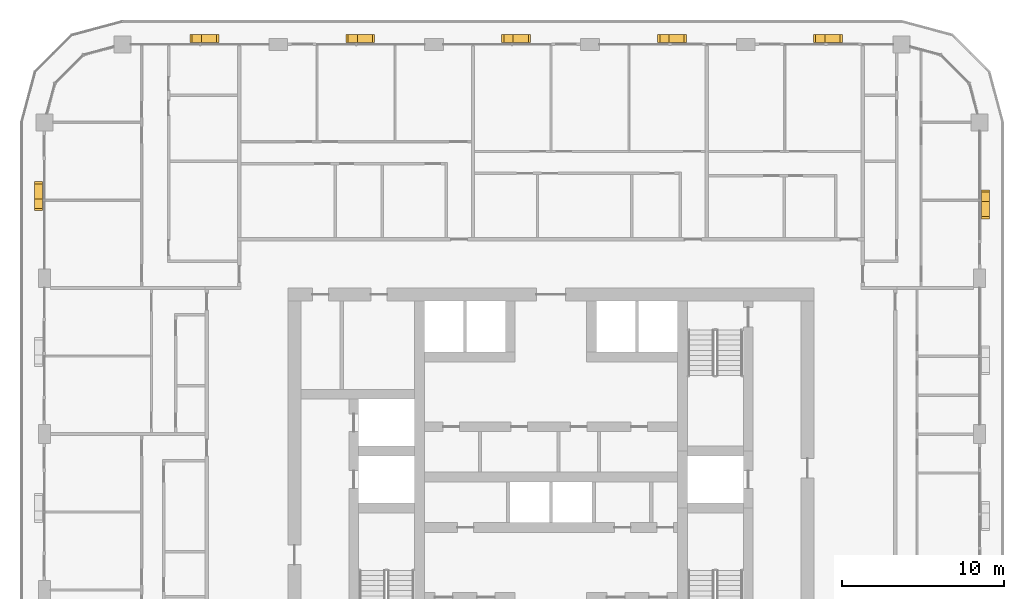
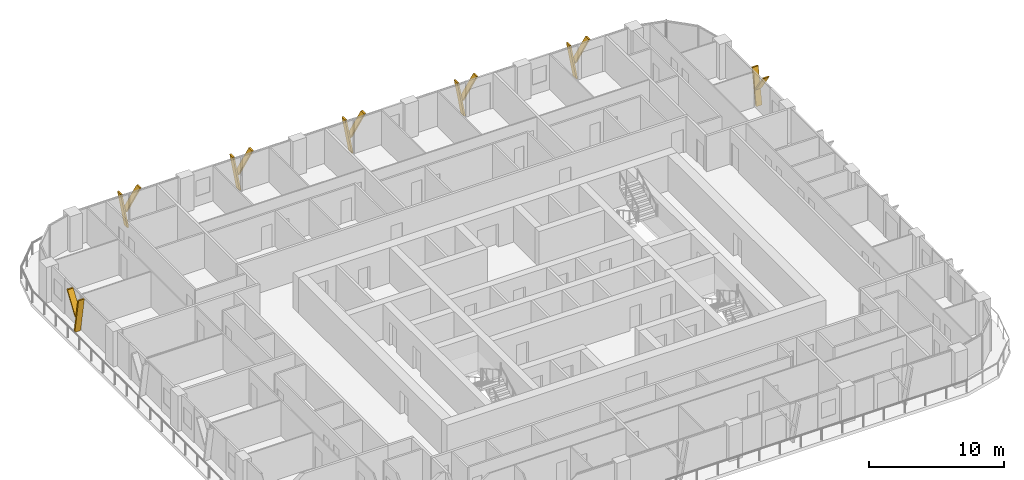
# One storey, part 22 of 22: 14 shading devices.
"""IFC4 building model written with IfcOpenShell, lengths in metres."""

from ifc_helpers import new_model, si_unit, direction, frame, origin, place, context, subcontext, project, spatial, polyline, outline, extrude, material, type_object, element, save


model = new_model("IFC4")

# Units and contexts
model_context = context("Model", 3, precision=1e-05, world=origin(), true_north=direction((0.0, 1.0)))
body_context = subcontext(model_context, "Body", "Model", "MODEL_VIEW")
ifc_project = project(units=[si_unit("LENGTHUNIT", "METRE"), si_unit("AREAUNIT", "SQUARE_METRE"), si_unit("VOLUMEUNIT", "CUBIC_METRE"), si_unit("PLANEANGLEUNIT", "RADIAN"), si_unit("MASSUNIT", "GRAM", prefix="KILO")], contexts=[model_context])

# Site, building, storey
site_placement = place(None, origin())
site = spatial("IfcSite", under=ifc_project, at=site_placement, CompositionType="ELEMENT")
building_placement = place(site_placement, origin())
building = spatial("IfcBuilding", under=site, at=building_placement, Name="Madar Terraces", CompositionType="ELEMENT")
storey_placement = place(building_placement, frame((0.0, 0.0, 126.10009765625)))
storey = spatial("IfcBuildingStorey", under=building, at=storey_placement, Name="L32", CompositionType="ELEMENT", Elevation=126.10009765625)

# Shading devices
ifc_material = material(Name="Aluminium, black anodised", Category="aluminium")
shading_device_type = type_object("IfcShadingDeviceType", Name="Facade fin blade 140 x 500", PredefinedType="USERDEFINED", material=ifc_material)
shading_device_1_placement = place(storey_placement, frame((57.949951171875, 43.1298828125, 0.0), z_axis=(0.0, 0.0, 1.0), x_axis=(0.0, 1.0, 0.0)))
element("IfcShadingDevice", 1, at=shading_device_1_placement, inside=storey, type_object=shading_device_type, Name="FIN L32 E4", ObjectType="FIN", PredefinedType="USERDEFINED", context=body_context, shape_type="SweptSolid", body=[
    extrude(outline(polyline([(0.0, 0.0), (0.14013671875, 0.0), (0.704345703125, 3.199951171875), (0.564208984375, 3.199951171875), (0.0, 0.0)])), frame((0.0, 0.25, 0.0), z_axis=(0.0, -1.0, 0.0), x_axis=(1.0, 0.0, 0.0)), (0.0, 0.0, 1.0), 0.5),
])
shading_device_2_placement = place(storey_placement, frame((57.949951171875, 43.243896484375, 1.43994140625), z_axis=(0.0, 0.0, 1.0), x_axis=(0.0, 1.0, 0.0)))
element("IfcShadingDevice", 2, at=shading_device_2_placement, inside=storey, type_object=shading_device_type, Name="FIN L32 E4 branch", ObjectType="FIN", PredefinedType="USERDEFINED", context=body_context, shape_type="SweptSolid", body=[
    extrude(outline(polyline([(0.0, 0.0), (0.139892578125, 0.0), (-1.049560546875, 1.760009765625), (-1.189697265625, 1.760009765625), (0.0, 0.0)])), frame((0.0, 0.25, 0.0), z_axis=(0.0, -1.0, 0.0), x_axis=(1.0, 0.0, 0.0)), (0.0, 0.0, 1.0), 0.5),
])
shading_device_3_placement = place(storey_placement, frame((48.070068359375, 53.14990234375, 0.0), z_axis=(0.0, 0.0, 1.0), x_axis=(-1.0, 0.0, 0.0)))
element("IfcShadingDevice", 3, at=shading_device_3_placement, inside=storey, type_object=shading_device_type, Name="FIN L32 N1", ObjectType="FIN", PredefinedType="USERDEFINED", context=body_context, shape_type="SweptSolid", body=[
    extrude(outline(polyline([(0.0, 0.0), (0.14013671875, 0.0), (0.704345703125, 3.199951171875), (0.564208984375, 3.199951171875), (0.0, 0.0)])), frame((0.0, 0.25, 0.0), z_axis=(0.0, -1.0, 0.0), x_axis=(1.0, 0.0, 0.0)), (0.0, 0.0, 1.0), 0.5),
])
shading_device_4_placement = place(storey_placement, frame((47.9560546875, 53.14990234375, 1.43994140625), z_axis=(0.0, 0.0, 1.0), x_axis=(-1.0, 0.0, 0.0)))
element("IfcShadingDevice", 4, at=shading_device_4_placement, inside=storey, type_object=shading_device_type, Name="FIN L32 N1 branch", ObjectType="FIN", PredefinedType="USERDEFINED", context=body_context, shape_type="SweptSolid", body=[
    extrude(outline(polyline([(0.0, 0.0), (0.139892578125, 0.0), (-1.049560546875, 1.760009765625), (-1.189697265625, 1.760009765625), (0.0, 0.0)])), frame((0.0, 0.25, 0.0), z_axis=(0.0, -1.0, 0.0), x_axis=(1.0, 0.0, 0.0)), (0.0, 0.0, 1.0), 0.5),
])
shading_device_5_placement = place(storey_placement, frame((38.469970703125, 53.14990234375, 0.0), z_axis=(0.0, 0.0, 1.0), x_axis=(-1.0, 0.0, 0.0)))
element("IfcShadingDevice", 5, at=shading_device_5_placement, inside=storey, type_object=shading_device_type, Name="FIN L32 N2", ObjectType="FIN", PredefinedType="USERDEFINED", context=body_context, shape_type="SweptSolid", body=[
    extrude(outline(polyline([(0.0, 0.0), (0.139892578125, 0.0), (0.704345703125, 3.199951171875), (0.564208984375, 3.199951171875), (0.0, 0.0)])), frame((0.0, 0.25, 0.0), z_axis=(0.0, -1.0, 0.0), x_axis=(1.0, 0.0, 0.0)), (0.0, 0.0, 1.0), 0.5),
])
shading_device_6_placement = place(storey_placement, frame((38.356201171875, 53.14990234375, 1.43994140625), z_axis=(0.0, 0.0, 1.0), x_axis=(-1.0, 0.0, 0.0)))
element("IfcShadingDevice", 6, at=shading_device_6_placement, inside=storey, type_object=shading_device_type, Name="FIN L32 N2 branch", ObjectType="FIN", PredefinedType="USERDEFINED", context=body_context, shape_type="SweptSolid", body=[
    extrude(outline(polyline([(0.0, 0.0), (0.14013671875, 0.0), (-1.049560546875, 1.760009765625), (-1.189697265625, 1.760009765625), (0.0, 0.0)])), frame((0.0, 0.25, 0.0), z_axis=(0.0, -1.0, 0.0), x_axis=(1.0, 0.0, 0.0)), (0.0, 0.0, 1.0), 0.5),
])
shading_device_7_placement = place(storey_placement, frame((28.8701171875, 53.14990234375, 0.0), z_axis=(0.0, 0.0, 1.0), x_axis=(-1.0, 0.0, 0.0)))
element("IfcShadingDevice", 7, at=shading_device_7_placement, inside=storey, type_object=shading_device_type, Name="FIN L32 N3", ObjectType="FIN", PredefinedType="USERDEFINED", context=body_context, shape_type="SweptSolid", body=[
    extrude(outline(polyline([(0.0, 0.0), (0.14013671875, 0.0), (0.704345703125, 3.199951171875), (0.564208984375, 3.199951171875), (0.0, 0.0)])), frame((0.0, 0.25, 0.0), z_axis=(0.0, -1.0, 0.0), x_axis=(1.0, 0.0, 0.0)), (0.0, 0.0, 1.0), 0.5),
])
shading_device_8_placement = place(storey_placement, frame((28.756103515625, 53.14990234375, 1.43994140625), z_axis=(0.0, 0.0, 1.0), x_axis=(-1.0, 0.0, 0.0)))
element("IfcShadingDevice", 8, at=shading_device_8_placement, inside=storey, type_object=shading_device_type, Name="FIN L32 N3 branch", ObjectType="FIN", PredefinedType="USERDEFINED", context=body_context, shape_type="SweptSolid", body=[
    extrude(outline(polyline([(0.0, 0.0), (0.139892578125, 0.0), (-1.049560546875, 1.760009765625), (-1.189697265625, 1.760009765625), (0.0, 0.0)])), frame((0.0, 0.25, 0.0), z_axis=(0.0, -1.0, 0.0), x_axis=(1.0, 0.0, 0.0)), (0.0, 0.0, 1.0), 0.5),
])
shading_device_9_placement = place(storey_placement, frame((19.27001953125, 53.14990234375, 0.0), z_axis=(0.0, 0.0, 1.0), x_axis=(-1.0, 0.0, 0.0)))
element("IfcShadingDevice", 9, at=shading_device_9_placement, inside=storey, type_object=shading_device_type, Name="FIN L32 N4", ObjectType="FIN", PredefinedType="USERDEFINED", context=body_context, shape_type="SweptSolid", body=[
    extrude(outline(polyline([(0.0, 0.0), (0.14013671875, 0.0), (0.704345703125, 3.199951171875), (0.564208984375, 3.199951171875), (0.0, 0.0)])), frame((0.0, 0.25, 0.0), z_axis=(0.0, -1.0, 0.0), x_axis=(1.0, 0.0, 0.0)), (0.0, 0.0, 1.0), 0.5),
])
shading_device_10_placement = place(storey_placement, frame((19.156005859375, 53.14990234375, 1.43994140625), z_axis=(0.0, 0.0, 1.0), x_axis=(-1.0, 0.0, 0.0)))
element("IfcShadingDevice", 10, at=shading_device_10_placement, inside=storey, type_object=shading_device_type, Name="FIN L32 N4 branch", ObjectType="FIN", PredefinedType="USERDEFINED", context=body_context, shape_type="SweptSolid", body=[
    extrude(outline(polyline([(0.0, 0.0), (0.139892578125, 0.0), (-1.049560546875, 1.760009765625), (-1.189697265625, 1.760009765625), (0.0, 0.0)])), frame((0.0, 0.25, 0.0), z_axis=(0.0, -1.0, 0.0), x_axis=(1.0, 0.0, 0.0)), (0.0, 0.0, 1.0), 0.5),
])
shading_device_11_placement = place(storey_placement, frame((9.669921875, 53.14990234375, 0.0), z_axis=(0.0, 0.0, 1.0), x_axis=(-1.0, 0.0, 0.0)))
element("IfcShadingDevice", 11, at=shading_device_11_placement, inside=storey, type_object=shading_device_type, Name="FIN L32 N5", ObjectType="FIN", PredefinedType="USERDEFINED", context=body_context, shape_type="SweptSolid", body=[
    extrude(outline(polyline([(0.0, 0.0), (0.139892578125, 0.0), (0.704345703125, 3.199951171875), (0.564208984375, 3.199951171875), (0.0, 0.0)])), frame((0.0, 0.25, 0.0), z_axis=(0.0, -1.0, 0.0), x_axis=(1.0, 0.0, 0.0)), (0.0, 0.0, 1.0), 0.5),
])
shading_device_12_placement = place(storey_placement, frame((9.55615234375, 53.14990234375, 1.43994140625), z_axis=(0.0, 0.0, 1.0), x_axis=(-1.0, 0.0, 0.0)))
element("IfcShadingDevice", 12, at=shading_device_12_placement, inside=storey, type_object=shading_device_type, Name="FIN L32 N5 branch", ObjectType="FIN", PredefinedType="USERDEFINED", context=body_context, shape_type="SweptSolid", body=[
    extrude(outline(polyline([(0.0, 0.0), (0.14013671875, 0.0), (-1.049560546875, 1.760009765625), (-1.189697265625, 1.760009765625), (0.0, 0.0)])), frame((0.0, 0.25, 0.0), z_axis=(0.0, -1.0, 0.0), x_axis=(1.0, 0.0, 0.0)), (0.0, 0.0, 1.0), 0.5),
])
shading_device_13_placement = place(storey_placement, frame((-0.35009765625, 43.27001953125, 0.0), z_axis=(0.0, 0.0, 1.0), x_axis=(0.0, -1.0, 0.0)))
element("IfcShadingDevice", 13, at=shading_device_13_placement, inside=storey, type_object=shading_device_type, Name="FIN L32 W1", ObjectType="FIN", PredefinedType="USERDEFINED", context=body_context, shape_type="SweptSolid", body=[
    extrude(outline(polyline([(0.0, 0.0), (0.14013671875, 0.0), (0.704345703125, 3.199951171875), (0.564208984375, 3.199951171875), (0.0, 0.0)])), frame((0.0, 0.25, 0.0), z_axis=(0.0, -1.0, 0.0), x_axis=(1.0, 0.0, 0.0)), (0.0, 0.0, 1.0), 0.5),
])
shading_device_14_placement = place(storey_placement, frame((-0.35009765625, 43.156005859375, 1.43994140625), z_axis=(0.0, 0.0, 1.0), x_axis=(0.0, -1.0, 0.0)))
element("IfcShadingDevice", 14, at=shading_device_14_placement, inside=storey, type_object=shading_device_type, Name="FIN L32 W1 branch", ObjectType="FIN", PredefinedType="USERDEFINED", context=body_context, shape_type="SweptSolid", body=[
    extrude(outline(polyline([(0.0, 0.0), (0.139892578125, 0.0), (-1.049560546875, 1.760009765625), (-1.189697265625, 1.760009765625), (0.0, 0.0)])), frame((0.0, 0.25, 0.0), z_axis=(0.0, -1.0, 0.0), x_axis=(1.0, 0.0, 0.0)), (0.0, 0.0, 1.0), 0.5),
])

save(model, "model.ifc")
